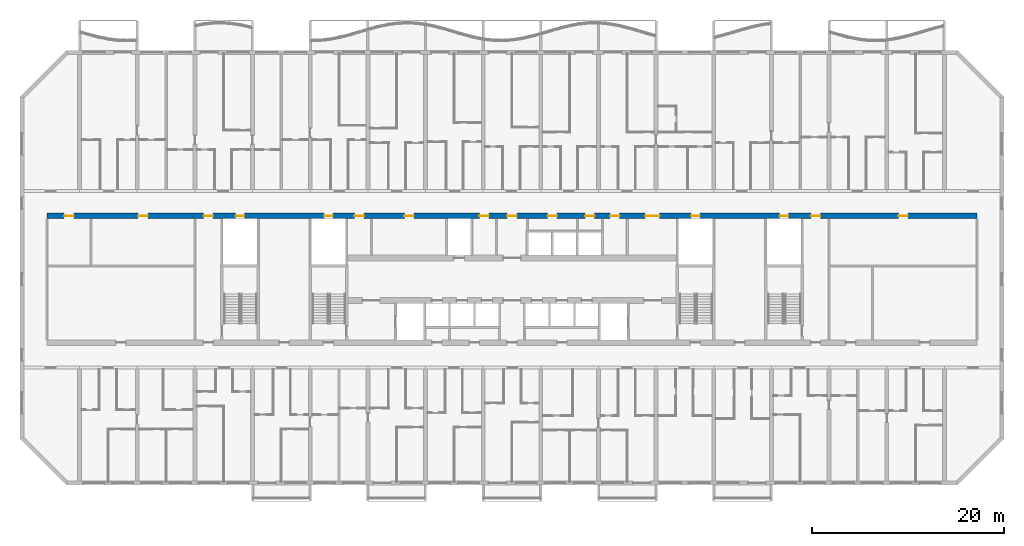
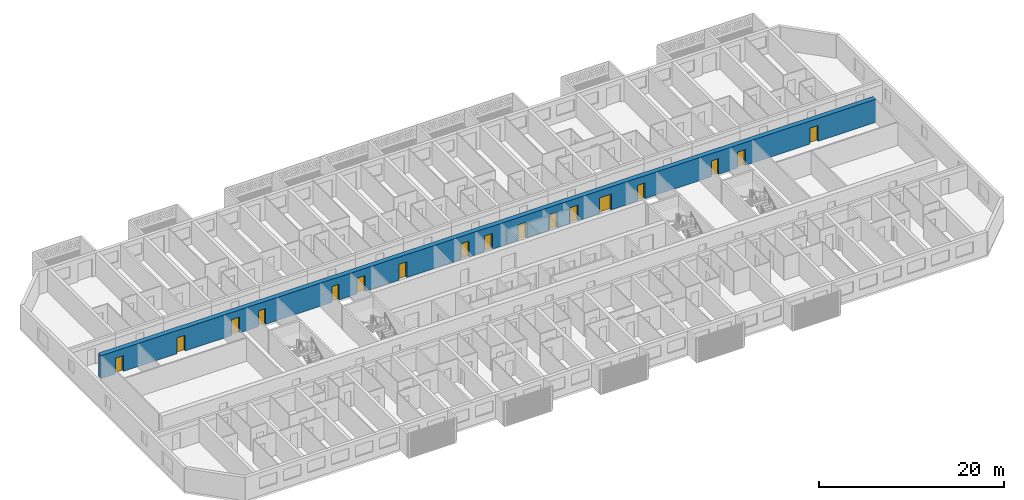
# One storey, part 11 of 44: 17 doors, 1 wall, 17 openings.
"""IFC4 building model written with IfcOpenShell, lengths in metres."""

from ifc_helpers import new_model, si_unit, direction, frame, frame_2d, origin, place, context, subcontext, project, spatial, rectangle, extrude, material, layer, layer_set, type_object, element, fill, save


model = new_model("IFC4")

# Units and contexts
model_context = context("Model", 3, precision=1e-05, world=origin(), true_north=direction((0.0, 1.0)))
body_context = subcontext(model_context, "Body", "Model", "MODEL_VIEW")
ifc_project = project(units=[si_unit("LENGTHUNIT", "METRE"), si_unit("AREAUNIT", "SQUARE_METRE"), si_unit("VOLUMEUNIT", "CUBIC_METRE"), si_unit("PLANEANGLEUNIT", "RADIAN"), si_unit("MASSUNIT", "GRAM", prefix="KILO")], contexts=[model_context])

# Site, building, storey
site_placement = place(None, origin())
site = spatial("IfcSite", under=ifc_project, at=site_placement, CompositionType="ELEMENT")
building_placement = place(site_placement, origin())
building = spatial("IfcBuilding", under=site, at=building_placement, Name="Poui Terraces", CompositionType="ELEMENT")
storey_placement = place(building_placement, frame((0.0, 0.0, 26.699951171875)))
storey = spatial("IfcBuildingStorey", under=building, at=storey_placement, Name="L06", CompositionType="ELEMENT", Elevation=26.699951171875)

# Wall, openings, doors
ifc_material_1 = material(Name="Concrete 80 MPa", Category="concrete")
ifc_layer = layer(ifc_material_1, 0.60009765625)
ifc_layer_set = layer_set([ifc_layer], Name="Concrete 80 MPa")
wall_type = type_object("IfcWallType", Name="SPINE WALL 600 80 MPA", PredefinedType="SOLIDWALL", material=ifc_layer_set)
wall_placement = place(storey_placement, frame((2.60009765625, 27.800048828125, 0.0), z_axis=(0.0, 0.0, 1.0), x_axis=(1.0, 0.0, 0.0)))
wall = element("IfcWall", 1, at=wall_placement, inside=storey, type_object=wall_type, Name="SPINE WALL", PredefinedType="SOLIDWALL", context=body_context, shape_type="SweptSolid", body=[
    extrude(rectangle(XDim=96.7998046875, YDim=0.60009765625, at=frame_2d((48.39990234375, 0.0))), origin(), (0.0, 0.0, 1.0), 3.050048828125),
])
opening_1_placement = place(wall_placement, frame((1.800048828125, 0.0, 0.0)))
opening_1 = element("IfcOpeningElement", 2, at=opening_1_placement, cuts=wall, Name="Opening FD60", PredefinedType="OPENING", context=body_context, shape_type="SweptSolid", body=[
    extrude(rectangle(XDim=1.0, YDim=2.10009765625, at=frame_2d((0.5, 1.050048828125))), frame((0.0, 0.31005859375, 0.0), z_axis=(0.0, -1.0, 0.0), x_axis=(1.0, 0.0, 0.0)), (0.0, 0.0, 1.0), 0.6201171875),
])
opening_2_placement = place(wall_placement, frame((9.5, 0.0, 0.0)))
opening_2 = element("IfcOpeningElement", 3, at=opening_2_placement, cuts=wall, Name="Opening FD60", PredefinedType="OPENING", context=body_context, shape_type="SweptSolid", body=[
    extrude(rectangle(XDim=1.0, YDim=2.10009765625, at=frame_2d((0.5, 1.050048828125))), frame((0.0, 0.31005859375, 0.0), z_axis=(0.0, -1.0, 0.0), x_axis=(1.0, 0.0, 0.0)), (0.0, 0.0, 1.0), 0.6201171875),
])
opening_3_placement = place(wall_placement, frame((16.300048828125, 0.0, 0.0)))
opening_3 = element("IfcOpeningElement", 4, at=opening_3_placement, cuts=wall, Name="Opening FDL", PredefinedType="OPENING", context=body_context, shape_type="SweptSolid", body=[
    extrude(rectangle(XDim=1.0, YDim=2.10009765625, at=frame_2d((0.5, 1.050048828125))), frame((0.0, 0.31005859375, 0.0), z_axis=(0.0, -1.0, 0.0), x_axis=(1.0, 0.0, 0.0)), (0.0, 0.0, 1.0), 0.6201171875),
])
opening_4_placement = place(wall_placement, frame((19.64990234375, 0.0, 0.0)))
opening_4 = element("IfcOpeningElement", 5, at=opening_4_placement, cuts=wall, Name="Opening FDR", PredefinedType="OPENING", context=body_context, shape_type="SweptSolid", body=[
    extrude(rectangle(XDim=0.89990234375, YDim=2.10009765625, at=frame_2d((0.449951171875, 1.050048828125))), frame((0.0, 0.31005859375, 0.0), z_axis=(0.0, -1.0, 0.0), x_axis=(1.0, 0.0, 0.0)), (0.0, 0.0, 1.0), 0.6201171875),
])
opening_5_placement = place(wall_placement, frame((28.85009765625, 0.0, 0.0)))
opening_5 = element("IfcOpeningElement", 6, at=opening_5_placement, cuts=wall, Name="Opening FDR", PredefinedType="OPENING", context=body_context, shape_type="SweptSolid", body=[
    extrude(rectangle(XDim=0.89990234375, YDim=2.10009765625, at=frame_2d((0.449951171875, 1.050048828125))), frame((0.0, 0.31005859375, 0.0), z_axis=(0.0, -1.0, 0.0), x_axis=(1.0, 0.0, 0.0)), (0.0, 0.0, 1.0), 0.6201171875),
])
opening_6_placement = place(wall_placement, frame((32.0, 0.0, 0.0)))
opening_6 = element("IfcOpeningElement", 7, at=opening_6_placement, cuts=wall, Name="Opening FD60", PredefinedType="OPENING", context=body_context, shape_type="SweptSolid", body=[
    extrude(rectangle(XDim=1.0, YDim=2.10009765625, at=frame_2d((0.5, 1.050048828125))), frame((0.0, 0.31005859375, 0.0), z_axis=(0.0, -1.0, 0.0), x_axis=(1.0, 0.0, 0.0)), (0.0, 0.0, 1.0), 0.6201171875),
])
opening_7_placement = place(wall_placement, frame((37.199951171875, 0.0, 0.0)))
opening_7 = element("IfcOpeningElement", 8, at=opening_7_placement, cuts=wall, Name="Opening FD60", PredefinedType="OPENING", context=body_context, shape_type="SweptSolid", body=[
    extrude(rectangle(XDim=1.0, YDim=2.10009765625, at=frame_2d((0.5, 1.050048828125))), frame((0.0, 0.31005859375, 0.0), z_axis=(0.0, -1.0, 0.0), x_axis=(1.0, 0.0, 0.0)), (0.0, 0.0, 1.0), 0.6201171875),
])
opening_8_placement = place(wall_placement, frame((45.0, 0.0, 0.0)))
opening_8 = element("IfcOpeningElement", 9, at=opening_8_placement, cuts=wall, Name="Opening FD60", PredefinedType="OPENING", context=body_context, shape_type="SweptSolid", body=[
    extrude(rectangle(XDim=1.0, YDim=2.10009765625, at=frame_2d((0.5, 1.050048828125))), frame((0.0, 0.31005859375, 0.0), z_axis=(0.0, -1.0, 0.0), x_axis=(1.0, 0.0, 0.0)), (0.0, 0.0, 1.0), 0.6201171875),
])
opening_9_placement = place(wall_placement, frame((47.89990234375, 0.0, 0.0)))
opening_9 = element("IfcOpeningElement", 10, at=opening_9_placement, cuts=wall, Name="Opening FDL", PredefinedType="OPENING", context=body_context, shape_type="SweptSolid", body=[
    extrude(rectangle(XDim=1.0, YDim=2.10009765625, at=frame_2d((0.5, 1.050048828125))), frame((0.0, 0.31005859375, 0.0), z_axis=(0.0, -1.0, 0.0), x_axis=(1.0, 0.0, 0.0)), (0.0, 0.0, 1.0), 0.6201171875),
])
opening_10_placement = place(wall_placement, frame((52.10009765625, 0.0, 0.0)))
opening_10 = element("IfcOpeningElement", 11, at=opening_10_placement, cuts=wall, Name="Opening FD60", PredefinedType="OPENING", context=body_context, shape_type="SweptSolid", body=[
    extrude(rectangle(XDim=1.0, YDim=2.10009765625, at=frame_2d((0.5, 1.050048828125))), frame((0.0, 0.31005859375, 0.0), z_axis=(0.0, -1.0, 0.0), x_axis=(1.0, 0.0, 0.0)), (0.0, 0.0, 1.0), 0.6201171875),
])
opening_11_placement = place(wall_placement, frame((56.0, 0.0, 0.0)))
opening_11 = element("IfcOpeningElement", 12, at=opening_11_placement, cuts=wall, Name="Opening FD60", PredefinedType="OPENING", context=body_context, shape_type="SweptSolid", body=[
    extrude(rectangle(XDim=1.0, YDim=2.10009765625, at=frame_2d((0.5, 1.050048828125))), frame((0.0, 0.31005859375, 0.0), z_axis=(0.0, -1.0, 0.0), x_axis=(1.0, 0.0, 0.0)), (0.0, 0.0, 1.0), 0.6201171875),
])
opening_12_placement = place(wall_placement, frame((58.60009765625, 0.0, 0.0)))
opening_12 = element("IfcOpeningElement", 13, at=opening_12_placement, cuts=wall, Name="Opening FD60", PredefinedType="OPENING", context=body_context, shape_type="SweptSolid", body=[
    extrude(rectangle(XDim=1.0, YDim=2.10009765625, at=frame_2d((0.5, 1.050048828125))), frame((0.0, 0.31005859375, 0.0), z_axis=(0.0, -1.0, 0.0), x_axis=(1.0, 0.0, 0.0)), (0.0, 0.0, 1.0), 0.6201171875),
])
opening_13_placement = place(wall_placement, frame((62.25, 0.0, 0.0)))
opening_13 = element("IfcOpeningElement", 14, at=opening_13_placement, cuts=wall, Name="Opening FDP", PredefinedType="OPENING", context=body_context, shape_type="SweptSolid", body=[
    extrude(rectangle(XDim=1.5, YDim=2.10009765625, at=frame_2d((0.75, 1.050048828125))), frame((0.0, 0.31005859375, 0.0), z_axis=(0.0, -1.0, 0.0), x_axis=(1.0, 0.0, 0.0)), (0.0, 0.0, 1.0), 0.6201171875),
])
opening_14_placement = place(wall_placement, frame((67.050048828125, 0.0, 0.0)))
opening_14 = element("IfcOpeningElement", 15, at=opening_14_placement, cuts=wall, Name="Opening FDR", PredefinedType="OPENING", context=body_context, shape_type="SweptSolid", body=[
    extrude(rectangle(XDim=0.89990234375, YDim=2.10009765625, at=frame_2d((0.449951171875, 1.050048828125))), frame((0.0, 0.31005859375, 0.0), z_axis=(0.0, -1.0, 0.0), x_axis=(1.0, 0.0, 0.0)), (0.0, 0.0, 1.0), 0.6201171875),
])
opening_15_placement = place(wall_placement, frame((76.25, 0.0, 0.0)))
opening_15 = element("IfcOpeningElement", 16, at=opening_15_placement, cuts=wall, Name="Opening FDR", PredefinedType="OPENING", context=body_context, shape_type="SweptSolid", body=[
    extrude(rectangle(XDim=0.89990234375, YDim=2.10009765625, at=frame_2d((0.449951171875, 1.050048828125))), frame((0.0, 0.31005859375, 0.0), z_axis=(0.0, -1.0, 0.0), x_axis=(1.0, 0.0, 0.0)), (0.0, 0.0, 1.0), 0.6201171875),
])
opening_16_placement = place(wall_placement, frame((79.5, 0.0, 0.0)))
opening_16 = element("IfcOpeningElement", 17, at=opening_16_placement, cuts=wall, Name="Opening FDL", PredefinedType="OPENING", context=body_context, shape_type="SweptSolid", body=[
    extrude(rectangle(XDim=1.0, YDim=2.10009765625, at=frame_2d((0.5, 1.050048828125))), frame((0.0, 0.31005859375, 0.0), z_axis=(0.0, -1.0, 0.0), x_axis=(1.0, 0.0, 0.0)), (0.0, 0.0, 1.0), 0.6201171875),
])
opening_17_placement = place(wall_placement, frame((88.60009765625, 0.0, 0.0)))
opening_17 = element("IfcOpeningElement", 18, at=opening_17_placement, cuts=wall, Name="Opening D100", PredefinedType="OPENING", context=body_context, shape_type="SweptSolid", body=[
    extrude(rectangle(XDim=1.0, YDim=2.10009765625, at=frame_2d((0.5, 1.050048828125))), frame((0.0, 0.31005859375, 0.0), z_axis=(0.0, -1.0, 0.0), x_axis=(1.0, 0.0, 0.0)), (0.0, 0.0, 1.0), 0.6201171875),
])
ifc_material_2 = material(Name="Solid core timber door", Category="wood")
door_type_1 = type_object("IfcDoorType", Name="ACCESSIBLE INTERNAL DOOR 1000 X 2100", OperationType="NOTDEFINED", PredefinedType="DOOR", material=ifc_material_2)
door_1_placement = place(opening_17_placement, origin())
door_1 = element("IfcDoor", 19, at=door_1_placement, inside=storey, type_object=door_type_1, Name="ACCESSIBLE INTERNAL DOOR 017", OperationType="SINGLE_SWING_RIGHT", OverallHeight=2.10009765625, OverallWidth=1.0, PredefinedType="DOOR", context=body_context, shape_type="SweptSolid", body=[
    extrude(rectangle(XDim=1.0, YDim=2.10009765625, at=frame_2d((0.5, 1.050048828125))), frame((0.0, 0.02490234375, 0.0), z_axis=(0.0, -1.0, 0.0), x_axis=(1.0, 0.0, 0.0)), (0.0, 0.0, 1.0), 0.050048828125),
])
fill(opening_17, door_1)
ifc_material_3 = material(Name="Steel fire door", Category="steel")
door_type_2 = type_object("IfcDoorType", Name="LOBBY FIRE DOOR 1000 X 2100", OperationType="NOTDEFINED", PredefinedType="DOOR", material=ifc_material_3)
door_2_placement = place(opening_3_placement, origin())
door_2 = element("IfcDoor", 20, at=door_2_placement, inside=storey, type_object=door_type_2, Name="LOBBY FIRE DOOR 003", OperationType="SINGLE_SWING_LEFT", OverallHeight=2.10009765625, OverallWidth=1.0, PredefinedType="DOOR", context=body_context, shape_type="SweptSolid", body=[
    extrude(rectangle(XDim=1.0, YDim=2.10009765625, at=frame_2d((0.5, 1.050048828125))), frame((0.0, 0.02490234375, 0.0), z_axis=(0.0, -1.0, 0.0), x_axis=(1.0, 0.0, 0.0)), (0.0, 0.0, 1.0), 0.050048828125),
])
fill(opening_3, door_2)
door_3_placement = place(opening_9_placement, origin())
door_3 = element("IfcDoor", 21, at=door_3_placement, inside=storey, type_object=door_type_2, Name="LOBBY FIRE DOOR 009", OperationType="SINGLE_SWING_RIGHT", OverallHeight=2.10009765625, OverallWidth=1.0, PredefinedType="DOOR", context=body_context, shape_type="SweptSolid", body=[
    extrude(rectangle(XDim=1.0, YDim=2.10009765625, at=frame_2d((0.5, 1.050048828125))), frame((0.0, 0.02490234375, 0.0), z_axis=(0.0, -1.0, 0.0), x_axis=(1.0, 0.0, 0.0)), (0.0, 0.0, 1.0), 0.050048828125),
])
fill(opening_9, door_3)
door_4_placement = place(opening_16_placement, origin())
door_4 = element("IfcDoor", 22, at=door_4_placement, inside=storey, type_object=door_type_2, Name="LOBBY FIRE DOOR 016", OperationType="SINGLE_SWING_RIGHT", OverallHeight=2.10009765625, OverallWidth=1.0, PredefinedType="DOOR", context=body_context, shape_type="SweptSolid", body=[
    extrude(rectangle(XDim=1.0, YDim=2.10009765625, at=frame_2d((0.5, 1.050048828125))), frame((0.0, 0.02490234375, 0.0), z_axis=(0.0, -1.0, 0.0), x_axis=(1.0, 0.0, 0.0)), (0.0, 0.0, 1.0), 0.050048828125),
])
fill(opening_16, door_4)
door_type_3 = type_object("IfcDoorType", Name="PLANT ROOM DOOR PAIR 1500 X 2100", OperationType="DOUBLE_DOOR_SINGLE_SWING", PredefinedType="DOOR", material=ifc_material_3)
door_5_placement = place(opening_13_placement, origin())
door_5 = element("IfcDoor", 23, at=door_5_placement, inside=storey, type_object=door_type_3, Name="PLANT ROOM DOOR PAIR 013", OperationType="DOUBLE_DOOR_SINGLE_SWING", OverallHeight=2.10009765625, OverallWidth=1.5, PredefinedType="DOOR", context=body_context, shape_type="SweptSolid", body=[
    extrude(rectangle(XDim=1.5, YDim=2.10009765625, at=frame_2d((0.75, 1.050048828125))), frame((0.0, 0.02490234375, 0.0), z_axis=(0.0, -1.0, 0.0), x_axis=(1.0, 0.0, 0.0)), (0.0, 0.0, 1.0), 0.050048828125),
])
fill(opening_13, door_5)
door_type_4 = type_object("IfcDoorType", Name="RISER CUPBOARD DOOR 900 X 2100", OperationType="NOTDEFINED", PredefinedType="DOOR", material=ifc_material_3)
door_6_placement = place(opening_4_placement, origin())
door_6 = element("IfcDoor", 24, at=door_6_placement, inside=storey, type_object=door_type_4, Name="RISER CUPBOARD DOOR 004", OperationType="SINGLE_SWING_LEFT", OverallHeight=2.10009765625, OverallWidth=0.89990234375, PredefinedType="DOOR", context=body_context, shape_type="SweptSolid", body=[
    extrude(rectangle(XDim=0.89990234375, YDim=2.10009765625, at=frame_2d((0.449951171875, 1.050048828125))), frame((0.0, 0.02490234375, 0.0), z_axis=(0.0, -1.0, 0.0), x_axis=(1.0, 0.0, 0.0)), (0.0, 0.0, 1.0), 0.050048828125),
])
fill(opening_4, door_6)
door_7_placement = place(opening_5_placement, origin())
door_7 = element("IfcDoor", 25, at=door_7_placement, inside=storey, type_object=door_type_4, Name="RISER CUPBOARD DOOR 005", OperationType="SINGLE_SWING_LEFT", OverallHeight=2.10009765625, OverallWidth=0.89990234375, PredefinedType="DOOR", context=body_context, shape_type="SweptSolid", body=[
    extrude(rectangle(XDim=0.89990234375, YDim=2.10009765625, at=frame_2d((0.449951171875, 1.050048828125))), frame((0.0, 0.02490234375, 0.0), z_axis=(0.0, -1.0, 0.0), x_axis=(1.0, 0.0, 0.0)), (0.0, 0.0, 1.0), 0.050048828125),
])
fill(opening_5, door_7)
door_8_placement = place(opening_14_placement, origin())
door_8 = element("IfcDoor", 26, at=door_8_placement, inside=storey, type_object=door_type_4, Name="RISER CUPBOARD DOOR 014", OperationType="SINGLE_SWING_RIGHT", OverallHeight=2.10009765625, OverallWidth=0.89990234375, PredefinedType="DOOR", context=body_context, shape_type="SweptSolid", body=[
    extrude(rectangle(XDim=0.89990234375, YDim=2.10009765625, at=frame_2d((0.449951171875, 1.050048828125))), frame((0.0, 0.02490234375, 0.0), z_axis=(0.0, -1.0, 0.0), x_axis=(1.0, 0.0, 0.0)), (0.0, 0.0, 1.0), 0.050048828125),
])
fill(opening_14, door_8)
door_9_placement = place(opening_15_placement, origin())
door_9 = element("IfcDoor", 27, at=door_9_placement, inside=storey, type_object=door_type_4, Name="RISER CUPBOARD DOOR 015", OperationType="SINGLE_SWING_RIGHT", OverallHeight=2.10009765625, OverallWidth=0.89990234375, PredefinedType="DOOR", context=body_context, shape_type="SweptSolid", body=[
    extrude(rectangle(XDim=0.89990234375, YDim=2.10009765625, at=frame_2d((0.449951171875, 1.050048828125))), frame((0.0, 0.02490234375, 0.0), z_axis=(0.0, -1.0, 0.0), x_axis=(1.0, 0.0, 0.0)), (0.0, 0.0, 1.0), 0.050048828125),
])
fill(opening_15, door_9)
door_type_5 = type_object("IfcDoorType", Name="SERVICE ROOM FIRE DOOR 1000 X 2100", OperationType="NOTDEFINED", PredefinedType="DOOR", material=ifc_material_3)
door_10_placement = place(opening_1_placement, origin())
door_10 = element("IfcDoor", 28, at=door_10_placement, inside=storey, type_object=door_type_5, Name="SERVICE ROOM FIRE DOOR 001", OperationType="SINGLE_SWING_RIGHT", OverallHeight=2.10009765625, OverallWidth=1.0, PredefinedType="DOOR", context=body_context, shape_type="SweptSolid", body=[
    extrude(rectangle(XDim=1.0, YDim=2.10009765625, at=frame_2d((0.5, 1.050048828125))), frame((0.0, 0.02490234375, 0.0), z_axis=(0.0, -1.0, 0.0), x_axis=(1.0, 0.0, 0.0)), (0.0, 0.0, 1.0), 0.050048828125),
])
fill(opening_1, door_10)
door_11_placement = place(opening_2_placement, origin())
door_11 = element("IfcDoor", 29, at=door_11_placement, inside=storey, type_object=door_type_5, Name="SERVICE ROOM FIRE DOOR 002", OperationType="SINGLE_SWING_LEFT", OverallHeight=2.10009765625, OverallWidth=1.0, PredefinedType="DOOR", context=body_context, shape_type="SweptSolid", body=[
    extrude(rectangle(XDim=1.0, YDim=2.10009765625, at=frame_2d((0.5, 1.050048828125))), frame((0.0, 0.02490234375, 0.0), z_axis=(0.0, -1.0, 0.0), x_axis=(1.0, 0.0, 0.0)), (0.0, 0.0, 1.0), 0.050048828125),
])
fill(opening_2, door_11)
door_12_placement = place(opening_6_placement, origin())
door_12 = element("IfcDoor", 30, at=door_12_placement, inside=storey, type_object=door_type_5, Name="SERVICE ROOM FIRE DOOR 006", OperationType="SINGLE_SWING_RIGHT", OverallHeight=2.10009765625, OverallWidth=1.0, PredefinedType="DOOR", context=body_context, shape_type="SweptSolid", body=[
    extrude(rectangle(XDim=1.0, YDim=2.10009765625, at=frame_2d((0.5, 1.050048828125))), frame((0.0, 0.02490234375, 0.0), z_axis=(0.0, -1.0, 0.0), x_axis=(1.0, 0.0, 0.0)), (0.0, 0.0, 1.0), 0.050048828125),
])
fill(opening_6, door_12)
door_13_placement = place(opening_7_placement, origin())
door_13 = element("IfcDoor", 31, at=door_13_placement, inside=storey, type_object=door_type_5, Name="SERVICE ROOM FIRE DOOR 007", OperationType="SINGLE_SWING_LEFT", OverallHeight=2.10009765625, OverallWidth=1.0, PredefinedType="DOOR", context=body_context, shape_type="SweptSolid", body=[
    extrude(rectangle(XDim=1.0, YDim=2.10009765625, at=frame_2d((0.5, 1.050048828125))), frame((0.0, 0.02490234375, 0.0), z_axis=(0.0, -1.0, 0.0), x_axis=(1.0, 0.0, 0.0)), (0.0, 0.0, 1.0), 0.050048828125),
])
fill(opening_7, door_13)
door_14_placement = place(opening_8_placement, origin())
door_14 = element("IfcDoor", 32, at=door_14_placement, inside=storey, type_object=door_type_5, Name="SERVICE ROOM FIRE DOOR 008", OperationType="SINGLE_SWING_RIGHT", OverallHeight=2.10009765625, OverallWidth=1.0, PredefinedType="DOOR", context=body_context, shape_type="SweptSolid", body=[
    extrude(rectangle(XDim=1.0, YDim=2.10009765625, at=frame_2d((0.5, 1.050048828125))), frame((0.0, 0.02490234375, 0.0), z_axis=(0.0, -1.0, 0.0), x_axis=(1.0, 0.0, 0.0)), (0.0, 0.0, 1.0), 0.050048828125),
])
fill(opening_8, door_14)
door_15_placement = place(opening_10_placement, origin())
door_15 = element("IfcDoor", 33, at=door_15_placement, inside=storey, type_object=door_type_5, Name="SERVICE ROOM FIRE DOOR 010", OperationType="SINGLE_SWING_LEFT", OverallHeight=2.10009765625, OverallWidth=1.0, PredefinedType="DOOR", context=body_context, shape_type="SweptSolid", body=[
    extrude(rectangle(XDim=1.0, YDim=2.10009765625, at=frame_2d((0.5, 1.050048828125))), frame((0.0, 0.02490234375, 0.0), z_axis=(0.0, -1.0, 0.0), x_axis=(1.0, 0.0, 0.0)), (0.0, 0.0, 1.0), 0.050048828125),
])
fill(opening_10, door_15)
door_16_placement = place(opening_11_placement, origin())
door_16 = element("IfcDoor", 34, at=door_16_placement, inside=storey, type_object=door_type_5, Name="SERVICE ROOM FIRE DOOR 011", OperationType="SINGLE_SWING_RIGHT", OverallHeight=2.10009765625, OverallWidth=1.0, PredefinedType="DOOR", context=body_context, shape_type="SweptSolid", body=[
    extrude(rectangle(XDim=1.0, YDim=2.10009765625, at=frame_2d((0.5, 1.050048828125))), frame((0.0, 0.02490234375, 0.0), z_axis=(0.0, -1.0, 0.0), x_axis=(1.0, 0.0, 0.0)), (0.0, 0.0, 1.0), 0.050048828125),
])
fill(opening_11, door_16)
door_17_placement = place(opening_12_placement, origin())
door_17 = element("IfcDoor", 35, at=door_17_placement, inside=storey, type_object=door_type_5, Name="SERVICE ROOM FIRE DOOR 012", OperationType="SINGLE_SWING_LEFT", OverallHeight=2.10009765625, OverallWidth=1.0, PredefinedType="DOOR", context=body_context, shape_type="SweptSolid", body=[
    extrude(rectangle(XDim=1.0, YDim=2.10009765625, at=frame_2d((0.5, 1.050048828125))), frame((0.0, 0.02490234375, 0.0), z_axis=(0.0, -1.0, 0.0), x_axis=(1.0, 0.0, 0.0)), (0.0, 0.0, 1.0), 0.050048828125),
])
fill(opening_12, door_17)

save(model, "model.ifc")
